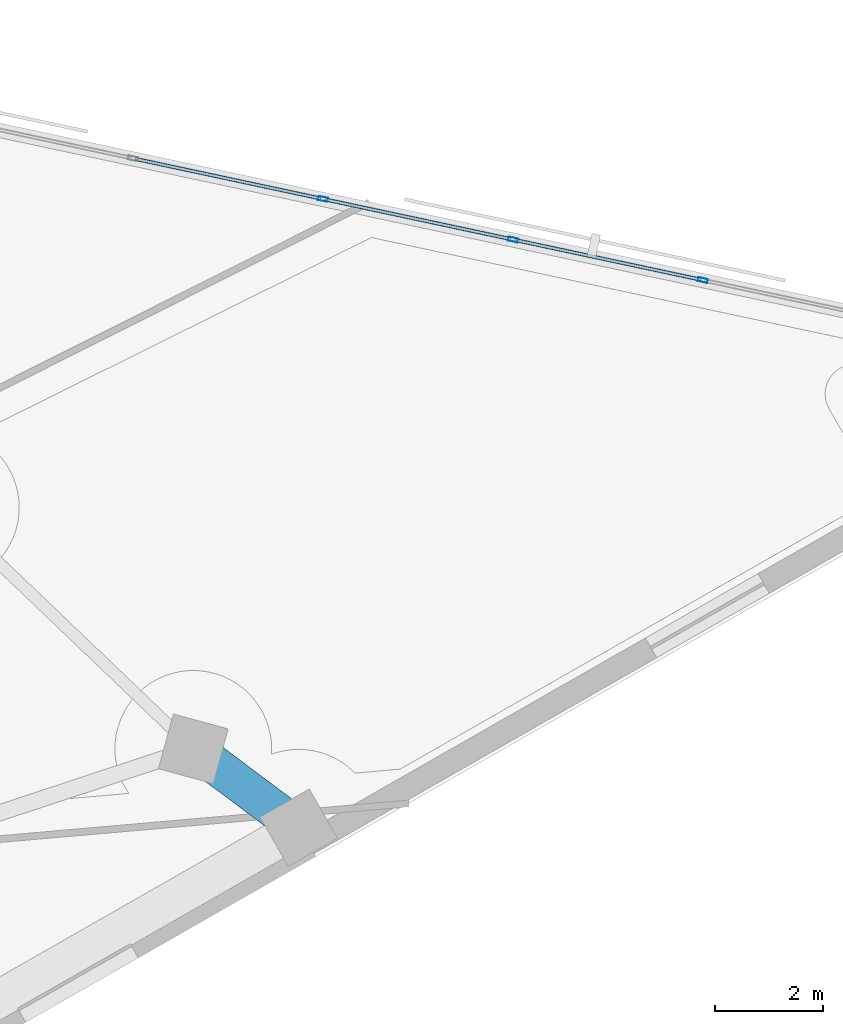
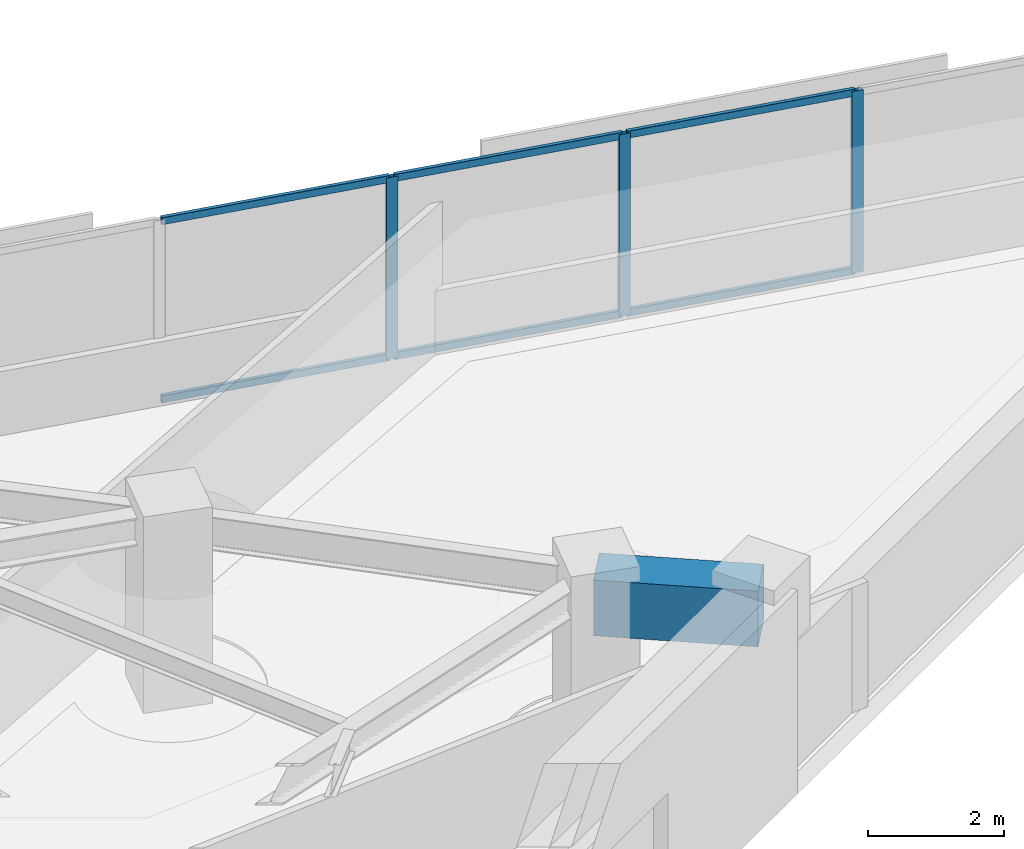
# One storey, part 5 of 13: 9 members, 1 beam, 1 element without a shape of its own.
"""IFC4 building model written with IfcOpenShell, lengths in metres."""

from ifc_helpers import new_model, si_unit, direction, frame, origin, origin_2d, place, context, subcontext, project, spatial, rectangle, hollow_rectangle, extrude, material, material_profile, profile_set, type_object, element, aggregate, save


model = new_model("IFC4")

# Units and contexts
model_context = context("Model", 3, precision=1e-05, world=origin(), true_north=direction((0.0, 1.0)))
body_context = subcontext(model_context, "Body", "Model", "MODEL_VIEW")
ifc_project = project(units=[si_unit("LENGTHUNIT", "METRE"), si_unit("AREAUNIT", "SQUARE_METRE"), si_unit("VOLUMEUNIT", "CUBIC_METRE"), si_unit("PLANEANGLEUNIT", "RADIAN"), si_unit("MASSUNIT", "GRAM", prefix="KILO")], contexts=[model_context])

# Site, building, storey
site_placement = place(None, origin())
site = spatial("IfcSite", under=ifc_project, at=site_placement, CompositionType="ELEMENT")
building_placement = place(site_placement, origin())
building = spatial("IfcBuilding", under=site, at=building_placement, Name="Narakoshi Arena Tower", CompositionType="ELEMENT")
storey_placement = place(building_placement, frame((0.0, 0.0, 200.89990234375)))
storey = spatial("IfcBuildingStorey", under=building, at=storey_placement, Name="L54", CompositionType="ELEMENT", Elevation=200.89990234375)

# Beam
ifc_material_1 = material(Name="Concrete C60/75", Category="concrete")
ifc_material_profile_1 = material_profile(ifc_material_1, rectangle(XDim=0.699951171875, YDim=1.0, at=origin_2d()), Name="RCB700x1000")
ifc_profile_set_1 = profile_set([ifc_material_profile_1], Name="Concrete C60/75")
beam_type = type_object("IfcBeamType", Name="BM-CPL-1000", PredefinedType="BEAM", material=ifc_profile_set_1)
beam_placement = place(storey_placement, frame((104.619873046875, 47.550048828125, 2.760009765625), z_axis=(-0.800768849668, 0.59897349641, 0.0), x_axis=(-0.59897349641, -0.800768849668, 0.0)))
element("IfcBeam", 1, at=beam_placement, inside=storey, type_object=beam_type, Name="L54 Perimeter Edge Girder 03", PredefinedType="BEAM", context=body_context, shape_type="SweptSolid", body=[
    extrude(rectangle(XDim=0.699951171875, YDim=1.0, at=origin_2d()), origin(), (0.0, 0.0, 1.0), 2.4365234375),
])

# Curtain wall, members
ifc_material_2 = material(Name="Anodised bronze aluminium 6063-T6", Category="aluminium")
curtain_wall_type = type_object("IfcCurtainWallType", Name="CW-HYP-MID", PredefinedType="NOTDEFINED", material=ifc_material_2)
curtain_wall_placement = place(storey_placement, origin())
curtain_wall = element("IfcCurtainWall", 2, at=curtain_wall_placement, inside=storey, type_object=curtain_wall_type, Name="L54 Folded Hypotenuse Curtain Wall 1-1", PredefinedType="NOTDEFINED")
ifc_material_profile_2 = material_profile(ifc_material_2, hollow_rectangle(XDim=0.074951171875, YDim=0.179931640625, WallThickness=0.00390625, OuterFilletRadius=0.0048828125, at=origin_2d()), Name="MUL180x75x4")
ifc_profile_set_2 = profile_set([ifc_material_profile_2], Name="Anodised bronze aluminium 6063-T6")
member_type_1 = type_object("IfcMemberType", Name="MEM-MUL-180", PredefinedType="MULLION", material=ifc_profile_set_2)
member_1_placement = place(storey_placement, frame((112.096435546875, 57.680908203125, 0.0), z_axis=(0.0, 0.0, 1.0), x_axis=(-0.208899163248, -0.977937185914, 0.0)))
member_1 = element("IfcMember", 3, at=member_1_placement, type_object=member_type_1, Name="CW-02 mullion 2", PredefinedType="MULLION", context=body_context, shape_type="SweptSolid", body=[
    extrude(hollow_rectangle(XDim=0.074951171875, YDim=0.179931640625, WallThickness=0.00390625, OuterFilletRadius=0.0048828125, at=origin_2d()), origin(), (0.0, 0.0, 1.0), 3.260009765625),
])
member_2_placement = place(storey_placement, frame((108.582275390625, 58.431640625, 0.0), z_axis=(0.0, 0.0, 1.0), x_axis=(-0.208899163248, -0.977937185914, 0.0)))
member_2 = element("IfcMember", 4, at=member_2_placement, type_object=member_type_1, Name="CW-02 mullion 3", PredefinedType="MULLION", context=body_context, shape_type="SweptSolid", body=[
    extrude(hollow_rectangle(XDim=0.074951171875, YDim=0.179931640625, WallThickness=0.00390625, OuterFilletRadius=0.0048828125, at=origin_2d()), origin(), (0.0, 0.0, 1.0), 3.260009765625),
])
member_3_placement = place(storey_placement, frame((105.068115234375, 59.182373046875, 0.0), z_axis=(0.0, 0.0, 1.0), x_axis=(-0.208899163248, -0.977937185914, 0.0)))
member_3 = element("IfcMember", 5, at=member_3_placement, type_object=member_type_1, Name="CW-02 mullion 4", PredefinedType="MULLION", context=body_context, shape_type="SweptSolid", body=[
    extrude(hollow_rectangle(XDim=0.074951171875, YDim=0.179931640625, WallThickness=0.00390625, OuterFilletRadius=0.0048828125, at=origin_2d()), origin(), (0.0, 0.0, 1.0), 3.260009765625),
])
ifc_material_profile_3 = material_profile(ifc_material_2, hollow_rectangle(XDim=0.06494140625, YDim=0.1298828125, WallThickness=0.00390625, OuterFilletRadius=0.0048828125, at=origin_2d()), Name="TRN130x65x4")
ifc_profile_set_3 = profile_set([ifc_material_profile_3], Name="Anodised bronze aluminium 6063-T6")
member_type_2 = type_object("IfcMemberType", Name="MEM-TRN-130", PredefinedType="USERDEFINED", material=ifc_profile_set_3)
member_4_placement = place(storey_placement, frame((112.059814453125, 57.688720703125, 0.03271484375), z_axis=(-0.977932198567, 0.20892250957, 0.0), x_axis=(-0.20892250957, -0.977932198567, 0.0)))
member_4 = element("IfcMember", 6, at=member_4_placement, type_object=member_type_2, Name="CW-02 transom 2.1", ObjectType="TRANSOM", PredefinedType="USERDEFINED", context=body_context, shape_type="SweptSolid", body=[
    extrude(hollow_rectangle(XDim=0.06494140625, YDim=0.1298828125, WallThickness=0.00390625, OuterFilletRadius=0.0048828125, at=origin_2d()), origin(), (0.0, 0.0, 1.0), 3.5185546875),
])
member_5_placement = place(storey_placement, frame((112.059814453125, 57.688720703125, 3.2275390625), z_axis=(-0.977932198567, 0.20892250957, 0.0), x_axis=(-0.20892250957, -0.977932198567, 0.0)))
member_5 = element("IfcMember", 7, at=member_5_placement, type_object=member_type_2, Name="CW-02 transom 2.2", ObjectType="TRANSOM", PredefinedType="USERDEFINED", context=body_context, shape_type="SweptSolid", body=[
    extrude(hollow_rectangle(XDim=0.06494140625, YDim=0.1298828125, WallThickness=0.00390625, OuterFilletRadius=0.0048828125, at=origin_2d()), origin(), (0.0, 0.0, 1.0), 3.5185546875),
])
member_6_placement = place(storey_placement, frame((108.545654296875, 58.439453125, 0.03271484375), z_axis=(-0.977946373003, 0.208856150329, 0.0), x_axis=(-0.208856150329, -0.977946373003, 0.0)))
member_6 = element("IfcMember", 8, at=member_6_placement, type_object=member_type_2, Name="CW-02 transom 3.1", ObjectType="TRANSOM", PredefinedType="USERDEFINED", context=body_context, shape_type="SweptSolid", body=[
    extrude(hollow_rectangle(XDim=0.06494140625, YDim=0.1298828125, WallThickness=0.00390625, OuterFilletRadius=0.0048828125, at=origin_2d()), origin(), (0.0, 0.0, 1.0), 3.5185546875),
])
member_7_placement = place(storey_placement, frame((108.545654296875, 58.439453125, 3.2275390625), z_axis=(-0.977946373003, 0.208856150329, 0.0), x_axis=(-0.208856150329, -0.977946373003, 0.0)))
member_7 = element("IfcMember", 9, at=member_7_placement, type_object=member_type_2, Name="CW-02 transom 3.2", ObjectType="TRANSOM", PredefinedType="USERDEFINED", context=body_context, shape_type="SweptSolid", body=[
    extrude(hollow_rectangle(XDim=0.06494140625, YDim=0.1298828125, WallThickness=0.00390625, OuterFilletRadius=0.0048828125, at=origin_2d()), origin(), (0.0, 0.0, 1.0), 3.5185546875),
])
member_8_placement = place(storey_placement, frame((105.031494140625, 59.190185546875, 0.03271484375), z_axis=(-0.977943345954, 0.208870323659, 0.0), x_axis=(-0.208870323659, -0.977943345954, 0.0)))
member_8 = element("IfcMember", 10, at=member_8_placement, type_object=member_type_2, Name="CW-02 transom 4.1", ObjectType="TRANSOM", PredefinedType="USERDEFINED", context=body_context, shape_type="SweptSolid", body=[
    extrude(hollow_rectangle(XDim=0.06494140625, YDim=0.1298828125, WallThickness=0.00390625, OuterFilletRadius=0.0048828125, at=origin_2d()), origin(), (0.0, 0.0, 1.0), 3.518310546875),
])
member_9_placement = place(storey_placement, frame((105.031494140625, 59.190185546875, 3.2275390625), z_axis=(-0.977943345954, 0.208870323659, 0.0), x_axis=(-0.208870323659, -0.977943345954, 0.0)))
member_9 = element("IfcMember", 11, at=member_9_placement, type_object=member_type_2, Name="CW-02 transom 4.2", ObjectType="TRANSOM", PredefinedType="USERDEFINED", context=body_context, shape_type="SweptSolid", body=[
    extrude(hollow_rectangle(XDim=0.06494140625, YDim=0.1298828125, WallThickness=0.00390625, OuterFilletRadius=0.0048828125, at=origin_2d()), origin(), (0.0, 0.0, 1.0), 3.518310546875),
])
aggregate(curtain_wall, [member_1, member_2, member_3, member_4, member_5, member_6, member_7, member_8, member_9])

save(model, "model.ifc")
